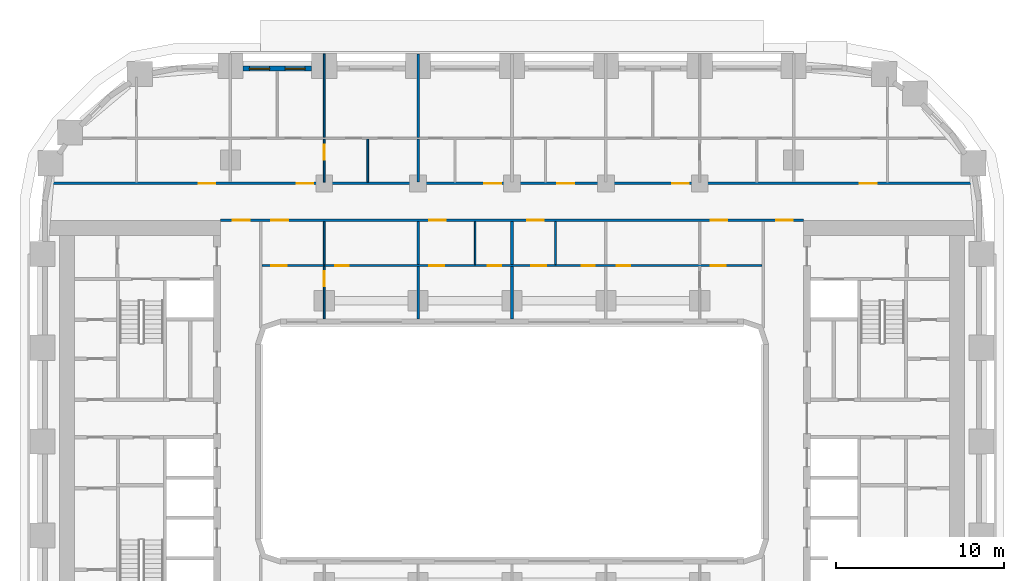
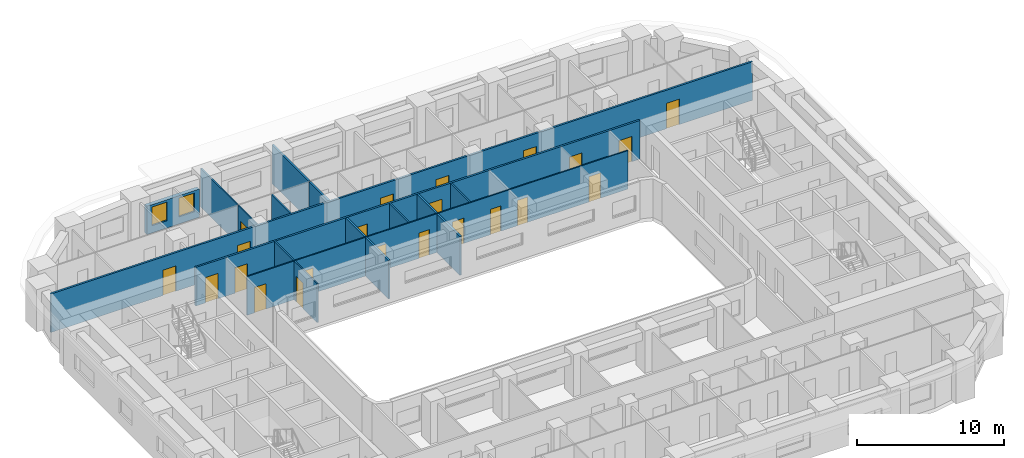
# One storey, part 8 of 21: 22 doors, 17 walls, 2 windows, 24 openings.
"""IFC4 building model written with IfcOpenShell, lengths in metres."""

from ifc_helpers import new_model, si_unit, direction, frame, frame_2d, origin, place, context, subcontext, project, spatial, rectangle, extrude, material, layer, layer_set, type_object, element, fill, save


model = new_model("IFC4")

# Units and contexts
model_context = context("Model", 3, precision=1e-05, world=origin(), true_north=direction((0.0, 1.0)))
body_context = subcontext(model_context, "Body", "Model", "MODEL_VIEW")
ifc_project = project(units=[si_unit("LENGTHUNIT", "METRE"), si_unit("AREAUNIT", "SQUARE_METRE"), si_unit("VOLUMEUNIT", "CUBIC_METRE"), si_unit("PLANEANGLEUNIT", "RADIAN"), si_unit("MASSUNIT", "GRAM", prefix="KILO")], contexts=[model_context])

# Site, building, storey
site_placement = place(None, origin())
site = spatial("IfcSite", under=ifc_project, at=site_placement, CompositionType="ELEMENT")
building_placement = place(site_placement, origin())
building = spatial("IfcBuilding", under=site, at=building_placement, Name="Kiln Ring Residences", CompositionType="ELEMENT")
storey_placement = place(building_placement, frame((0.0, 0.0, 48.0)))
storey = spatial("IfcBuildingStorey", under=building, at=storey_placement, Name="L11", CompositionType="ELEMENT", Elevation=48.0)

# Wall, openings, windows
ifc_material_1 = material(Name="Brick masonry, dark clay brick", Category="masonry")
ifc_layer_1 = layer(ifc_material_1, 0.300048828125)
ifc_layer_set_1 = layer_set([ifc_layer_1], Name="EW-300 BRICK WALL")
wall_type_1 = type_object("IfcWallType", Name="EW-300 BRICK WALL", PredefinedType="SOLIDWALL", material=ifc_layer_set_1)
wall_1_placement = place(storey_placement, frame((-11.949951171875, 22.25, 0.0), z_axis=(0.0, 0.0, 1.0), x_axis=(-1.0, 0.0, 0.0)))
wall_1 = element("IfcWall", 1, at=wall_1_placement, inside=storey, type_object=wall_type_1, Name="Facade wall L11 34", PredefinedType="SOLIDWALL", context=body_context, shape_type="SweptSolid", body=[
    extrude(rectangle(XDim=4.10009765625, YDim=0.300048828125, at=frame_2d((2.050048828125, 0.0))), origin(), (0.0, 0.0, 1.0), 2.35009765625),
])
opening_1_placement = place(wall_1_placement, frame((0.387451171875, 0.0, 0.60009765625)))
opening_1 = element("IfcOpeningElement", 2, at=opening_1_placement, cuts=wall_1, Name="Opening W1", PredefinedType="OPENING", context=body_context, shape_type="SweptSolid", body=[
    extrude(rectangle(XDim=1.199951171875, YDim=1.550048828125, at=frame_2d((0.60009765625, 0.77490234375))), frame((0.0, 0.159912109375, 0.0), z_axis=(0.0, -1.0, 0.0), x_axis=(1.0, 0.0, 0.0)), (0.0, 0.0, 1.0), 0.320068359375),
])
opening_2_placement = place(wall_1_placement, frame((2.512451171875, 0.0, 0.60009765625)))
opening_2 = element("IfcOpeningElement", 3, at=opening_2_placement, cuts=wall_1, Name="Opening W1", PredefinedType="OPENING", context=body_context, shape_type="SweptSolid", body=[
    extrude(rectangle(XDim=1.199951171875, YDim=1.550048828125, at=frame_2d((0.60009765625, 0.77490234375))), frame((0.0, 0.159912109375, 0.0), z_axis=(0.0, -1.0, 0.0), x_axis=(1.0, 0.0, 0.0)), (0.0, 0.0, 1.0), 0.320068359375),
])
ifc_material_2 = material(Name="Aluminium frame with double glazing", Category="aluminium")
window_type = type_object("IfcWindowType", Name="WINDOW 1200 x 1550", PartitioningType="SINGLE_PANEL", PredefinedType="WINDOW", material=ifc_material_2)
window_1_placement = place(opening_1_placement, origin())
window_1 = element("IfcWindow", 4, at=window_1_placement, inside=storey, type_object=window_type, Name="Window L11 20", OverallHeight=1.550048828125, OverallWidth=1.199951171875, PartitioningType="SINGLE_PANEL", PredefinedType="WINDOW", context=body_context, shape_type="SweptSolid", body=[
    extrude(rectangle(XDim=1.199951171875, YDim=1.550048828125, at=frame_2d((0.60009765625, 0.77490234375))), frame((0.0, 0.030029296875, 0.0), z_axis=(0.0, -1.0, 0.0), x_axis=(1.0, 0.0, 0.0)), (0.0, 0.0, 1.0), 0.06005859375),
])
fill(opening_1, window_1)
window_2_placement = place(opening_2_placement, origin())
window_2 = element("IfcWindow", 5, at=window_2_placement, inside=storey, type_object=window_type, Name="Window L11 21", OverallHeight=1.550048828125, OverallWidth=1.199951171875, PartitioningType="SINGLE_PANEL", PredefinedType="WINDOW", context=body_context, shape_type="SweptSolid", body=[
    extrude(rectangle(XDim=1.199951171875, YDim=1.550048828125, at=frame_2d((0.60009765625, 0.77490234375))), frame((0.0, 0.030029296875, 0.0), z_axis=(0.0, -1.0, 0.0), x_axis=(1.0, 0.0, 0.0)), (0.0, 0.0, 1.0), 0.06005859375),
])
fill(opening_2, window_2)

# Wall, openings, doors
ifc_material_3 = material(Name="Gypsum board on steel studs", Category="steel")
ifc_layer_2 = layer(ifc_material_3, 0.10009765625)
ifc_layer_set_2 = layer_set([ifc_layer_2], Name="PARTITION-100")
wall_type_2 = type_object("IfcWallType", Name="PARTITION-100", PredefinedType="PARTITIONING", material=ifc_layer_set_2)
wall_2_placement = place(storey_placement, frame((-14.925048828125, 10.5, 0.0), z_axis=(0.0, 0.0, 1.0), x_axis=(1.0, 0.0, 0.0)))
wall_2 = element("IfcWall", 6, at=wall_2_placement, inside=storey, type_object=wall_type_2, Name="Partition 003", PredefinedType="PARTITIONING", context=body_context, shape_type="SweptSolid", body=[
    extrude(rectangle(XDim=29.85009765625, YDim=0.10009765625, at=frame_2d((14.925048828125, 0.0))), origin(), (0.0, 0.0, 1.0), 3.199951171875),
])
opening_3_placement = place(wall_2_placement, frame((4.375, 0.0, 0.0)))
opening_3 = element("IfcOpeningElement", 7, at=opening_3_placement, cuts=wall_2, Name="Opening L11-D006", PredefinedType="OPENING", context=body_context, shape_type="SweptSolid", body=[
    extrude(rectangle(XDim=0.800048828125, YDim=2.10009765625, at=frame_2d((0.39990234375, 1.050048828125))), frame((0.0, 0.06005859375, 0.0), z_axis=(0.0, -1.0, 0.0), x_axis=(1.0, 0.0, 0.0)), (0.0, 0.0, 1.0), 0.1201171875),
])
opening_4_placement = place(wall_2_placement, frame((0.574951171875, 0.0, 0.0)))
opening_4 = element("IfcOpeningElement", 8, at=opening_4_placement, cuts=wall_2, Name="Opening L11-D007", PredefinedType="OPENING", context=body_context, shape_type="SweptSolid", body=[
    extrude(rectangle(XDim=0.89990234375, YDim=2.10009765625, at=frame_2d((0.449951171875, 1.050048828125))), frame((0.0, 0.06005859375, 0.0), z_axis=(0.0, -1.0, 0.0), x_axis=(1.0, 0.0, 0.0)), (0.0, 0.0, 1.0), 0.1201171875),
])
opening_5_placement = place(wall_2_placement, frame((13.47509765625, 0.0, 0.0)))
opening_5 = element("IfcOpeningElement", 9, at=opening_5_placement, cuts=wall_2, Name="Opening L11-D010", PredefinedType="OPENING", context=body_context, shape_type="SweptSolid", body=[
    extrude(rectangle(XDim=0.800048828125, YDim=2.10009765625, at=frame_2d((0.39990234375, 1.050048828125))), frame((0.0, 0.06005859375, 0.0), z_axis=(0.0, -1.0, 0.0), x_axis=(1.0, 0.0, 0.0)), (0.0, 0.0, 1.0), 0.1201171875),
])
opening_6_placement = place(wall_2_placement, frame((9.97509765625, 0.0, 0.0)))
opening_6 = element("IfcOpeningElement", 10, at=opening_6_placement, cuts=wall_2, Name="Opening L11-D011", PredefinedType="OPENING", context=body_context, shape_type="SweptSolid", body=[
    extrude(rectangle(XDim=0.89990234375, YDim=2.10009765625, at=frame_2d((0.449951171875, 1.050048828125))), frame((0.0, 0.06005859375, 0.0), z_axis=(0.0, -1.0, 0.0), x_axis=(1.0, 0.0, 0.0)), (0.0, 0.0, 1.0), 0.1201171875),
])
opening_7_placement = place(wall_2_placement, frame((19.074951171875, 0.0, 0.0)))
opening_7 = element("IfcOpeningElement", 11, at=opening_7_placement, cuts=wall_2, Name="Opening L11-D013", PredefinedType="OPENING", context=body_context, shape_type="SweptSolid", body=[
    extrude(rectangle(XDim=0.800048828125, YDim=2.10009765625, at=frame_2d((0.39990234375, 1.050048828125))), frame((0.0, 0.06005859375, 0.0), z_axis=(0.0, -1.0, 0.0), x_axis=(1.0, 0.0, 0.0)), (0.0, 0.0, 1.0), 0.1201171875),
])
opening_8_placement = place(wall_2_placement, frame((16.074951171875, 0.0, 0.0)))
opening_8 = element("IfcOpeningElement", 12, at=opening_8_placement, cuts=wall_2, Name="Opening L11-D014", PredefinedType="OPENING", context=body_context, shape_type="SweptSolid", body=[
    extrude(rectangle(XDim=0.89990234375, YDim=2.10009765625, at=frame_2d((0.449951171875, 1.050048828125))), frame((0.0, 0.06005859375, 0.0), z_axis=(0.0, -1.0, 0.0), x_axis=(1.0, 0.0, 0.0)), (0.0, 0.0, 1.0), 0.1201171875),
])
opening_9_placement = place(wall_2_placement, frame((21.175048828125, 0.0, 0.0)))
opening_9 = element("IfcOpeningElement", 13, at=opening_9_placement, cuts=wall_2, Name="Opening L11-D016", PredefinedType="OPENING", context=body_context, shape_type="SweptSolid", body=[
    extrude(rectangle(XDim=0.800048828125, YDim=2.10009765625, at=frame_2d((0.39990234375, 1.050048828125))), frame((0.0, 0.06005859375, 0.0), z_axis=(0.0, -1.0, 0.0), x_axis=(1.0, 0.0, 0.0)), (0.0, 0.0, 1.0), 0.1201171875),
])
opening_10_placement = place(wall_2_placement, frame((26.77490234375, 0.0, 0.0)))
opening_10 = element("IfcOpeningElement", 14, at=opening_10_placement, cuts=wall_2, Name="Opening L11-D017", PredefinedType="OPENING", context=body_context, shape_type="SweptSolid", body=[
    extrude(rectangle(XDim=0.89990234375, YDim=2.10009765625, at=frame_2d((0.449951171875, 1.050048828125))), frame((0.0, 0.06005859375, 0.0), z_axis=(0.0, -1.0, 0.0), x_axis=(1.0, 0.0, 0.0)), (0.0, 0.0, 1.0), 0.1201171875),
])
ifc_material_4 = material(Name="Timber door leaf", Category="wood")
door_type_1 = type_object("IfcDoorType", Name="FLAT-DOOR-800-PL", OperationType="SINGLE_SWING_LEFT", PredefinedType="DOOR", material=ifc_material_4)
door_1_placement = place(opening_3_placement, origin())
door_1 = element("IfcDoor", 15, at=door_1_placement, inside=storey, type_object=door_type_1, Name="Door L11-D006", OperationType="SINGLE_SWING_RIGHT", OverallHeight=2.10009765625, OverallWidth=0.800048828125, PredefinedType="DOOR", context=body_context, shape_type="SweptSolid", body=[
    extrude(rectangle(XDim=0.800048828125, YDim=2.10009765625, at=frame_2d((0.39990234375, 1.050048828125))), frame((0.0, 0.02490234375, 0.0), z_axis=(0.0, -1.0, 0.0), x_axis=(1.0, 0.0, 0.0)), (0.0, 0.0, 1.0), 0.050048828125),
])
fill(opening_3, door_1)
door_2_placement = place(opening_5_placement, origin())
door_2 = element("IfcDoor", 16, at=door_2_placement, inside=storey, type_object=door_type_1, Name="Door L11-D010", OperationType="SINGLE_SWING_RIGHT", OverallHeight=2.10009765625, OverallWidth=0.800048828125, PredefinedType="DOOR", context=body_context, shape_type="SweptSolid", body=[
    extrude(rectangle(XDim=0.800048828125, YDim=2.10009765625, at=frame_2d((0.39990234375, 1.050048828125))), frame((0.0, 0.02490234375, 0.0), z_axis=(0.0, -1.0, 0.0), x_axis=(1.0, 0.0, 0.0)), (0.0, 0.0, 1.0), 0.050048828125),
])
fill(opening_5, door_2)
door_3_placement = place(opening_7_placement, origin())
door_3 = element("IfcDoor", 17, at=door_3_placement, inside=storey, type_object=door_type_1, Name="Door L11-D013", OperationType="SINGLE_SWING_LEFT", OverallHeight=2.10009765625, OverallWidth=0.800048828125, PredefinedType="DOOR", context=body_context, shape_type="SweptSolid", body=[
    extrude(rectangle(XDim=0.800048828125, YDim=2.10009765625, at=frame_2d((0.39990234375, 1.050048828125))), frame((0.0, 0.02490234375, 0.0), z_axis=(0.0, -1.0, 0.0), x_axis=(1.0, 0.0, 0.0)), (0.0, 0.0, 1.0), 0.050048828125),
])
fill(opening_7, door_3)
door_4_placement = place(opening_9_placement, origin())
door_4 = element("IfcDoor", 18, at=door_4_placement, inside=storey, type_object=door_type_1, Name="Door L11-D016", OperationType="SINGLE_SWING_RIGHT", OverallHeight=2.10009765625, OverallWidth=0.800048828125, PredefinedType="DOOR", context=body_context, shape_type="SweptSolid", body=[
    extrude(rectangle(XDim=0.800048828125, YDim=2.10009765625, at=frame_2d((0.39990234375, 1.050048828125))), frame((0.0, 0.02490234375, 0.0), z_axis=(0.0, -1.0, 0.0), x_axis=(1.0, 0.0, 0.0)), (0.0, 0.0, 1.0), 0.050048828125),
])
fill(opening_9, door_4)
ifc_material_5 = material(Name="Timber door leaf", Category="wood")
door_type_2 = type_object("IfcDoorType", Name="FLAT-DOOR-900-PL", OperationType="SINGLE_SWING_LEFT", PredefinedType="DOOR", material=ifc_material_5)
door_5_placement = place(opening_4_placement, origin())
door_5 = element("IfcDoor", 19, at=door_5_placement, inside=storey, type_object=door_type_2, Name="Door L11-D007", OperationType="SINGLE_SWING_LEFT", OverallHeight=2.10009765625, OverallWidth=0.89990234375, PredefinedType="DOOR", context=body_context, shape_type="SweptSolid", body=[
    extrude(rectangle(XDim=0.89990234375, YDim=2.10009765625, at=frame_2d((0.449951171875, 1.050048828125))), frame((0.0, 0.02490234375, 0.0), z_axis=(0.0, -1.0, 0.0), x_axis=(1.0, 0.0, 0.0)), (0.0, 0.0, 1.0), 0.050048828125),
])
fill(opening_4, door_5)
door_6_placement = place(opening_6_placement, origin())
door_6 = element("IfcDoor", 20, at=door_6_placement, inside=storey, type_object=door_type_2, Name="Door L11-D011", OperationType="SINGLE_SWING_LEFT", OverallHeight=2.10009765625, OverallWidth=0.89990234375, PredefinedType="DOOR", context=body_context, shape_type="SweptSolid", body=[
    extrude(rectangle(XDim=0.89990234375, YDim=2.10009765625, at=frame_2d((0.449951171875, 1.050048828125))), frame((0.0, 0.02490234375, 0.0), z_axis=(0.0, -1.0, 0.0), x_axis=(1.0, 0.0, 0.0)), (0.0, 0.0, 1.0), 0.050048828125),
])
fill(opening_6, door_6)
door_7_placement = place(opening_8_placement, origin())
door_7 = element("IfcDoor", 21, at=door_7_placement, inside=storey, type_object=door_type_2, Name="Door L11-D014", OperationType="SINGLE_SWING_RIGHT", OverallHeight=2.10009765625, OverallWidth=0.89990234375, PredefinedType="DOOR", context=body_context, shape_type="SweptSolid", body=[
    extrude(rectangle(XDim=0.89990234375, YDim=2.10009765625, at=frame_2d((0.449951171875, 1.050048828125))), frame((0.0, 0.02490234375, 0.0), z_axis=(0.0, -1.0, 0.0), x_axis=(1.0, 0.0, 0.0)), (0.0, 0.0, 1.0), 0.050048828125),
])
fill(opening_8, door_7)
door_8_placement = place(opening_10_placement, origin())
door_8 = element("IfcDoor", 22, at=door_8_placement, inside=storey, type_object=door_type_2, Name="Door L11-D017", OperationType="SINGLE_SWING_LEFT", OverallHeight=2.10009765625, OverallWidth=0.89990234375, PredefinedType="DOOR", context=body_context, shape_type="SweptSolid", body=[
    extrude(rectangle(XDim=0.89990234375, YDim=2.10009765625, at=frame_2d((0.449951171875, 1.050048828125))), frame((0.0, 0.02490234375, 0.0), z_axis=(0.0, -1.0, 0.0), x_axis=(1.0, 0.0, 0.0)), (0.0, 0.0, 1.0), 0.050048828125),
])
fill(opening_10, door_8)

# Wall, opening, door
wall_3_placement = place(storey_placement, frame((-11.199951171875, 7.320068359375, 0.0), z_axis=(0.0, 0.0, 1.0), x_axis=(0.0, 1.0, 0.0)))
wall_3 = element("IfcWall", 23, at=wall_3_placement, inside=storey, type_object=wall_type_2, Name="Partition 020", PredefinedType="PARTITIONING", context=body_context, shape_type="SweptSolid", body=[
    extrude(rectangle(XDim=3.1298828125, YDim=0.10009765625, at=frame_2d((1.56494140625, 0.0))), origin(), (0.0, 0.0, 1.0), 3.199951171875),
])
opening_11_placement = place(wall_3_placement, frame((1.949951171875, 0.0, 0.0)))
opening_11 = element("IfcOpeningElement", 24, at=opening_11_placement, cuts=wall_3, Name="Opening L11-D008", PredefinedType="OPENING", context=body_context, shape_type="SweptSolid", body=[
    extrude(rectangle(XDim=0.89990234375, YDim=2.10009765625, at=frame_2d((0.449951171875, 1.050048828125))), frame((0.0, 0.06005859375, 0.0), z_axis=(0.0, -1.0, 0.0), x_axis=(1.0, 0.0, 0.0)), (0.0, 0.0, 1.0), 0.1201171875),
])
door_9_placement = place(opening_11_placement, origin())
door_9 = element("IfcDoor", 25, at=door_9_placement, inside=storey, type_object=door_type_2, Name="Door L11-D008", OperationType="SINGLE_SWING_RIGHT", OverallHeight=2.10009765625, OverallWidth=0.89990234375, PredefinedType="DOOR", context=body_context, shape_type="SweptSolid", body=[
    extrude(rectangle(XDim=0.89990234375, YDim=2.10009765625, at=frame_2d((0.449951171875, 1.050048828125))), frame((0.0, 0.02490234375, 0.0), z_axis=(0.0, -1.0, 0.0), x_axis=(1.0, 0.0, 0.0)), (0.0, 0.0, 1.0), 0.050048828125),
])
fill(opening_11, door_9)

# Wall
wall_4_placement = place(storey_placement, frame((-11.199951171875, 10.550048828125, 0.0), z_axis=(0.0, 0.0, 1.0), x_axis=(0.0, 1.0, 0.0)))
element("IfcWall", 26, at=wall_4_placement, inside=storey, type_object=wall_type_2, Name="Partition 021", PredefinedType="PARTITIONING", context=body_context, shape_type="SweptSolid", body=[
    extrude(rectangle(XDim=2.574951171875, YDim=0.10009765625, at=frame_2d((1.28759765625, 0.0))), origin(), (0.0, 0.0, 1.0), 3.199951171875),
])

# Wall, opening, door
wall_5_placement = place(storey_placement, frame((-11.199951171875, 15.47509765625, 0.0), z_axis=(0.0, 0.0, 1.0), x_axis=(0.0, 1.0, 0.0)))
wall_5 = element("IfcWall", 27, at=wall_5_placement, inside=storey, type_object=wall_type_2, Name="Partition 022", PredefinedType="PARTITIONING", context=body_context, shape_type="SweptSolid", body=[
    extrude(rectangle(XDim=2.574951171875, YDim=0.10009765625, at=frame_2d((1.28759765625, 0.0))), origin(), (0.0, 0.0, 1.0), 3.199951171875),
])
opening_12_placement = place(wall_5_placement, frame((1.325927734375, 0.0, 0.0)))
opening_12 = element("IfcOpeningElement", 28, at=opening_12_placement, cuts=wall_5, Name="Opening L11-D024", PredefinedType="OPENING", context=body_context, shape_type="SweptSolid", body=[
    extrude(rectangle(XDim=0.89990234375, YDim=2.10009765625, at=frame_2d((0.449951171875, 1.050048828125))), frame((0.0, 0.06005859375, 0.0), z_axis=(0.0, -1.0, 0.0), x_axis=(1.0, 0.0, 0.0)), (0.0, 0.0, 1.0), 0.1201171875),
])
door_10_placement = place(opening_12_placement, origin())
door_10 = element("IfcDoor", 29, at=door_10_placement, inside=storey, type_object=door_type_2, Name="Door L11-D024", OperationType="SINGLE_SWING_RIGHT", OverallHeight=2.10009765625, OverallWidth=0.89990234375, PredefinedType="DOOR", context=body_context, shape_type="SweptSolid", body=[
    extrude(rectangle(XDim=0.89990234375, YDim=2.10009765625, at=frame_2d((0.449951171875, 1.050048828125))), frame((0.0, 0.02490234375, 0.0), z_axis=(0.0, -1.0, 0.0), x_axis=(1.0, 0.0, 0.0)), (0.0, 0.0, 1.0), 0.050048828125),
])
fill(opening_12, door_10)

# Walls
wall_6_placement = place(storey_placement, frame((-11.199951171875, 18.14990234375, 0.0), z_axis=(0.0, 0.0, 1.0), x_axis=(0.0, 1.0, 0.0)))
element("IfcWall", 30, at=wall_6_placement, inside=storey, type_object=wall_type_2, Name="Partition 023", PredefinedType="PARTITIONING", context=body_context, shape_type="SweptSolid", body=[
    extrude(rectangle(XDim=4.97998046875, YDim=0.10009765625, at=frame_2d((2.489990234375, 0.0))), origin(), (0.0, 0.0, 1.0), 3.199951171875),
])
for number, where, z_axis, x_axis, name in (
    (31, (-8.60009765625, 15.47509765625, 0.0), (0.0, 0.0, 1.0), (0.0, 1.0, 0.0), "Partition 026"),
    (32, (-2.199951171875, 10.550048828125, 0.0), (0.0, 0.0, 1.0), (0.0, 1.0, 0.0), "Partition 037"),
    (33, (2.60009765625, 10.550048828125, 0.0), (0.0, 0.0, 1.0), (0.0, 1.0, 0.0), "Partition 046"),
):
    element("IfcWall", number, at=place(storey_placement, frame(where, z_axis=z_axis, x_axis=x_axis)), inside=storey, type_object=wall_type_2, Name=name, PredefinedType="PARTITIONING", context=body_context, shape_type="SweptSolid", body=[
        extrude(rectangle(XDim=2.574951171875, YDim=0.10009765625, at=frame_2d((1.28759765625, 0.0))), origin(), (0.0, 0.0, 1.0), 3.199951171875),
    ])

# Wall, openings, doors
ifc_material_6 = material(Name="Brick masonry partition", Category="masonry")
ifc_layer_3 = layer(ifc_material_6, 0.14990234375)
ifc_layer_set_3 = layer_set([ifc_layer_3], Name="PARTITION-150-ei60")
wall_type_3 = type_object("IfcWallType", Name="PARTITION-150-ei60", PredefinedType="PARTITIONING", material=ifc_layer_set_3)
wall_7_placement = place(storey_placement, frame((-17.39990234375, 13.199951171875, 0.0), z_axis=(0.0, 0.0, 1.0), x_axis=(1.0, 0.0, 0.0)))
wall_7 = element("IfcWall", 34, at=wall_7_placement, inside=storey, type_object=wall_type_3, Name="Partition 004", PredefinedType="PARTITIONING", context=body_context, shape_type="SweptSolid", body=[
    extrude(rectangle(XDim=34.7998046875, YDim=0.14990234375, at=frame_2d((17.39990234375, 0.0))), origin(), (0.0, 0.0, 1.0), 3.199951171875),
])
opening_13_placement = place(wall_7_placement, frame((0.75, 0.0, 0.0)))
opening_13 = element("IfcOpeningElement", 35, at=opening_13_placement, cuts=wall_7, Name="Opening L11-D001", PredefinedType="OPENING", context=body_context, shape_type="SweptSolid", body=[
    extrude(rectangle(XDim=1.0, YDim=2.10009765625, at=frame_2d((0.5, 1.050048828125))), frame((0.0, 0.0849609375, 0.0), z_axis=(0.0, -1.0, 0.0), x_axis=(1.0, 0.0, 0.0)), (0.0, 0.0, 1.0), 0.169921875),
])
opening_14_placement = place(wall_7_placement, frame((33.14990234375, 0.0, 0.0)))
opening_14 = element("IfcOpeningElement", 36, at=opening_14_placement, cuts=wall_7, Name="Opening L11-D002", PredefinedType="OPENING", context=body_context, shape_type="SweptSolid", body=[
    extrude(rectangle(XDim=1.0, YDim=2.10009765625, at=frame_2d((0.5, 1.050048828125))), frame((0.0, 0.0849609375, 0.0), z_axis=(0.0, -1.0, 0.0), x_axis=(1.0, 0.0, 0.0)), (0.0, 0.0, 1.0), 0.169921875),
])
opening_15_placement = place(wall_7_placement, frame((3.050048828125, 0.0, 0.0)))
opening_15 = element("IfcOpeningElement", 37, at=opening_15_placement, cuts=wall_7, Name="Opening L11-D005", PredefinedType="OPENING", context=body_context, shape_type="SweptSolid", body=[
    extrude(rectangle(XDim=1.0, YDim=2.10009765625, at=frame_2d((0.5, 1.050048828125))), frame((0.0, 0.0849609375, 0.0), z_axis=(0.0, -1.0, 0.0), x_axis=(1.0, 0.0, 0.0)), (0.0, 0.0, 1.0), 0.169921875),
])
opening_16_placement = place(wall_7_placement, frame((12.449951171875, 0.0, 0.0)))
opening_16 = element("IfcOpeningElement", 38, at=opening_16_placement, cuts=wall_7, Name="Opening L11-D009", PredefinedType="OPENING", context=body_context, shape_type="SweptSolid", body=[
    extrude(rectangle(XDim=1.0, YDim=2.10009765625, at=frame_2d((0.5, 1.050048828125))), frame((0.0, 0.0849609375, 0.0), z_axis=(0.0, -1.0, 0.0), x_axis=(1.0, 0.0, 0.0)), (0.0, 0.0, 1.0), 0.169921875),
])
opening_17_placement = place(wall_7_placement, frame((18.300048828125, 0.0, 0.0)))
opening_17 = element("IfcOpeningElement", 39, at=opening_17_placement, cuts=wall_7, Name="Opening L11-D012", PredefinedType="OPENING", context=body_context, shape_type="SweptSolid", body=[
    extrude(rectangle(XDim=1.0, YDim=2.10009765625, at=frame_2d((0.5, 1.050048828125))), frame((0.0, 0.0849609375, 0.0), z_axis=(0.0, -1.0, 0.0), x_axis=(1.0, 0.0, 0.0)), (0.0, 0.0, 1.0), 0.169921875),
])
opening_18_placement = place(wall_7_placement, frame((29.25, 0.0, 0.0)))
opening_18 = element("IfcOpeningElement", 40, at=opening_18_placement, cuts=wall_7, Name="Opening L11-D015", PredefinedType="OPENING", context=body_context, shape_type="SweptSolid", body=[
    extrude(rectangle(XDim=1.0, YDim=2.10009765625, at=frame_2d((0.5, 1.050048828125))), frame((0.0, 0.0849609375, 0.0), z_axis=(0.0, -1.0, 0.0), x_axis=(1.0, 0.0, 0.0)), (0.0, 0.0, 1.0), 0.169921875),
])
ifc_material_7 = material(Name="Steel faced fire door leaf", Category="steel")
door_type_3 = type_object("IfcDoorType", Name="FLAT-DOOR-1000-FR", OperationType="SINGLE_SWING_LEFT", PredefinedType="DOOR", material=ifc_material_7)
door_11_placement = place(opening_13_placement, origin())
door_11 = element("IfcDoor", 41, at=door_11_placement, inside=storey, type_object=door_type_3, Name="Door L11-D001", OperationType="SINGLE_SWING_RIGHT", OverallHeight=2.10009765625, OverallWidth=1.0, PredefinedType="DOOR", context=body_context, shape_type="SweptSolid", body=[
    extrude(rectangle(XDim=1.0, YDim=2.10009765625, at=frame_2d((0.5, 1.050048828125))), frame((0.0, 0.02490234375, 0.0), z_axis=(0.0, -1.0, 0.0), x_axis=(1.0, 0.0, 0.0)), (0.0, 0.0, 1.0), 0.050048828125),
])
fill(opening_13, door_11)
door_12_placement = place(opening_14_placement, origin())
door_12 = element("IfcDoor", 42, at=door_12_placement, inside=storey, type_object=door_type_3, Name="Door L11-D002", OperationType="SINGLE_SWING_LEFT", OverallHeight=2.10009765625, OverallWidth=1.0, PredefinedType="DOOR", context=body_context, shape_type="SweptSolid", body=[
    extrude(rectangle(XDim=1.0, YDim=2.10009765625, at=frame_2d((0.5, 1.050048828125))), frame((0.0, 0.02490234375, 0.0), z_axis=(0.0, -1.0, 0.0), x_axis=(1.0, 0.0, 0.0)), (0.0, 0.0, 1.0), 0.050048828125),
])
fill(opening_14, door_12)
door_13_placement = place(opening_15_placement, origin())
door_13 = element("IfcDoor", 43, at=door_13_placement, inside=storey, type_object=door_type_3, Name="Door L11-D005", OperationType="SINGLE_SWING_LEFT", OverallHeight=2.10009765625, OverallWidth=1.0, PredefinedType="DOOR", context=body_context, shape_type="SweptSolid", body=[
    extrude(rectangle(XDim=1.0, YDim=2.10009765625, at=frame_2d((0.5, 1.050048828125))), frame((0.0, 0.02490234375, 0.0), z_axis=(0.0, -1.0, 0.0), x_axis=(1.0, 0.0, 0.0)), (0.0, 0.0, 1.0), 0.050048828125),
])
fill(opening_15, door_13)
door_14_placement = place(opening_16_placement, origin())
door_14 = element("IfcDoor", 44, at=door_14_placement, inside=storey, type_object=door_type_3, Name="Door L11-D009", OperationType="SINGLE_SWING_LEFT", OverallHeight=2.10009765625, OverallWidth=1.0, PredefinedType="DOOR", context=body_context, shape_type="SweptSolid", body=[
    extrude(rectangle(XDim=1.0, YDim=2.10009765625, at=frame_2d((0.5, 1.050048828125))), frame((0.0, 0.02490234375, 0.0), z_axis=(0.0, -1.0, 0.0), x_axis=(1.0, 0.0, 0.0)), (0.0, 0.0, 1.0), 0.050048828125),
])
fill(opening_16, door_14)
door_15_placement = place(opening_17_placement, origin())
door_15 = element("IfcDoor", 45, at=door_15_placement, inside=storey, type_object=door_type_3, Name="Door L11-D012", OperationType="SINGLE_SWING_RIGHT", OverallHeight=2.10009765625, OverallWidth=1.0, PredefinedType="DOOR", context=body_context, shape_type="SweptSolid", body=[
    extrude(rectangle(XDim=1.0, YDim=2.10009765625, at=frame_2d((0.5, 1.050048828125))), frame((0.0, 0.02490234375, 0.0), z_axis=(0.0, -1.0, 0.0), x_axis=(1.0, 0.0, 0.0)), (0.0, 0.0, 1.0), 0.050048828125),
])
fill(opening_17, door_15)
door_16_placement = place(opening_18_placement, origin())
door_16 = element("IfcDoor", 46, at=door_16_placement, inside=storey, type_object=door_type_3, Name="Door L11-D015", OperationType="SINGLE_SWING_LEFT", OverallHeight=2.10009765625, OverallWidth=1.0, PredefinedType="DOOR", context=body_context, shape_type="SweptSolid", body=[
    extrude(rectangle(XDim=1.0, YDim=2.10009765625, at=frame_2d((0.5, 1.050048828125))), frame((0.0, 0.02490234375, 0.0), z_axis=(0.0, -1.0, 0.0), x_axis=(1.0, 0.0, 0.0)), (0.0, 0.0, 1.0), 0.050048828125),
])
fill(opening_18, door_16)

wall_8_placement = place(storey_placement, frame((-27.48388671875, 15.39990234375, 0.0), z_axis=(0.0, 0.0, 1.0), x_axis=(1.0, 0.0, 0.0)))
wall_8 = element("IfcWall", 47, at=wall_8_placement, inside=storey, type_object=wall_type_3, Name="Partition 005", PredefinedType="PARTITIONING", context=body_context, shape_type="SweptSolid", body=[
    extrude(rectangle(XDim=54.9677734375, YDim=0.14990234375, at=frame_2d((27.48388671875, 0.0))), origin(), (0.0, 0.0, 1.0), 3.199951171875),
])
opening_19_placement = place(wall_8_placement, frame((8.78369140625, 0.0, 0.0)))
opening_19 = element("IfcOpeningElement", 48, at=opening_19_placement, cuts=wall_8, Name="Opening L11-D019", PredefinedType="OPENING", context=body_context, shape_type="SweptSolid", body=[
    extrude(rectangle(XDim=1.0, YDim=2.10009765625, at=frame_2d((0.5, 1.050048828125))), frame((0.0, 0.0849609375, 0.0), z_axis=(0.0, -1.0, 0.0), x_axis=(1.0, 0.0, 0.0)), (0.0, 0.0, 1.0), 0.169921875),
])
opening_20_placement = place(wall_8_placement, frame((14.6337890625, 0.0, 0.0)))
opening_20 = element("IfcOpeningElement", 49, at=opening_20_placement, cuts=wall_8, Name="Opening L11-D023", PredefinedType="OPENING", context=body_context, shape_type="SweptSolid", body=[
    extrude(rectangle(XDim=1.0, YDim=2.10009765625, at=frame_2d((0.5, 1.050048828125))), frame((0.0, 0.0849609375, 0.0), z_axis=(0.0, -1.0, 0.0), x_axis=(1.0, 0.0, 0.0)), (0.0, 0.0, 1.0), 0.169921875),
])
opening_21_placement = place(wall_8_placement, frame((25.833740234375, 0.0, 0.0)))
opening_21 = element("IfcOpeningElement", 50, at=opening_21_placement, cuts=wall_8, Name="Opening L11-D029", PredefinedType="OPENING", context=body_context, shape_type="SweptSolid", body=[
    extrude(rectangle(XDim=1.0, YDim=2.10009765625, at=frame_2d((0.5, 1.050048828125))), frame((0.0, 0.0849609375, 0.0), z_axis=(0.0, -1.0, 0.0), x_axis=(1.0, 0.0, 0.0)), (0.0, 0.0, 1.0), 0.169921875),
])
opening_22_placement = place(wall_8_placement, frame((30.183837890625, 0.0, 0.0)))
opening_22 = element("IfcOpeningElement", 51, at=opening_22_placement, cuts=wall_8, Name="Opening L11-D032", PredefinedType="OPENING", context=body_context, shape_type="SweptSolid", body=[
    extrude(rectangle(XDim=1.0, YDim=2.10009765625, at=frame_2d((0.5, 1.050048828125))), frame((0.0, 0.0849609375, 0.0), z_axis=(0.0, -1.0, 0.0), x_axis=(1.0, 0.0, 0.0)), (0.0, 0.0, 1.0), 0.169921875),
])
opening_23_placement = place(wall_8_placement, frame((37.03369140625, 0.0, 0.0)))
opening_23 = element("IfcOpeningElement", 52, at=opening_23_placement, cuts=wall_8, Name="Opening L11-D035", PredefinedType="OPENING", context=body_context, shape_type="SweptSolid", body=[
    extrude(rectangle(XDim=1.0, YDim=2.10009765625, at=frame_2d((0.5, 1.050048828125))), frame((0.0, 0.0849609375, 0.0), z_axis=(0.0, -1.0, 0.0), x_axis=(1.0, 0.0, 0.0)), (0.0, 0.0, 1.0), 0.169921875),
])
opening_24_placement = place(wall_8_placement, frame((48.23388671875, 0.0, 0.0)))
opening_24 = element("IfcOpeningElement", 53, at=opening_24_placement, cuts=wall_8, Name="Opening L11-D041", PredefinedType="OPENING", context=body_context, shape_type="SweptSolid", body=[
    extrude(rectangle(XDim=1.0, YDim=2.10009765625, at=frame_2d((0.5, 1.050048828125))), frame((0.0, 0.0849609375, 0.0), z_axis=(0.0, -1.0, 0.0), x_axis=(1.0, 0.0, 0.0)), (0.0, 0.0, 1.0), 0.169921875),
])
door_17_placement = place(opening_19_placement, origin())
door_17 = element("IfcDoor", 54, at=door_17_placement, inside=storey, type_object=door_type_3, Name="Door L11-D019", OperationType="SINGLE_SWING_LEFT", OverallHeight=2.10009765625, OverallWidth=1.0, PredefinedType="DOOR", context=body_context, shape_type="SweptSolid", body=[
    extrude(rectangle(XDim=1.0, YDim=2.10009765625, at=frame_2d((0.5, 1.050048828125))), frame((0.0, 0.02490234375, 0.0), z_axis=(0.0, -1.0, 0.0), x_axis=(1.0, 0.0, 0.0)), (0.0, 0.0, 1.0), 0.050048828125),
])
fill(opening_19, door_17)
door_18_placement = place(opening_20_placement, origin())
door_18 = element("IfcDoor", 55, at=door_18_placement, inside=storey, type_object=door_type_3, Name="Door L11-D023", OperationType="SINGLE_SWING_LEFT", OverallHeight=2.10009765625, OverallWidth=1.0, PredefinedType="DOOR", context=body_context, shape_type="SweptSolid", body=[
    extrude(rectangle(XDim=1.0, YDim=2.10009765625, at=frame_2d((0.5, 1.050048828125))), frame((0.0, 0.02490234375, 0.0), z_axis=(0.0, -1.0, 0.0), x_axis=(1.0, 0.0, 0.0)), (0.0, 0.0, 1.0), 0.050048828125),
])
fill(opening_20, door_18)
door_19_placement = place(opening_21_placement, origin())
door_19 = element("IfcDoor", 56, at=door_19_placement, inside=storey, type_object=door_type_3, Name="Door L11-D029", OperationType="SINGLE_SWING_LEFT", OverallHeight=2.10009765625, OverallWidth=1.0, PredefinedType="DOOR", context=body_context, shape_type="SweptSolid", body=[
    extrude(rectangle(XDim=1.0, YDim=2.10009765625, at=frame_2d((0.5, 1.050048828125))), frame((0.0, 0.02490234375, 0.0), z_axis=(0.0, -1.0, 0.0), x_axis=(1.0, 0.0, 0.0)), (0.0, 0.0, 1.0), 0.050048828125),
])
fill(opening_21, door_19)
door_20_placement = place(opening_22_placement, origin())
door_20 = element("IfcDoor", 57, at=door_20_placement, inside=storey, type_object=door_type_3, Name="Door L11-D032", OperationType="SINGLE_SWING_RIGHT", OverallHeight=2.10009765625, OverallWidth=1.0, PredefinedType="DOOR", context=body_context, shape_type="SweptSolid", body=[
    extrude(rectangle(XDim=1.0, YDim=2.10009765625, at=frame_2d((0.5, 1.050048828125))), frame((0.0, 0.02490234375, 0.0), z_axis=(0.0, -1.0, 0.0), x_axis=(1.0, 0.0, 0.0)), (0.0, 0.0, 1.0), 0.050048828125),
])
fill(opening_22, door_20)
door_21_placement = place(opening_23_placement, origin())
door_21 = element("IfcDoor", 58, at=door_21_placement, inside=storey, type_object=door_type_3, Name="Door L11-D035", OperationType="SINGLE_SWING_LEFT", OverallHeight=2.10009765625, OverallWidth=1.0, PredefinedType="DOOR", context=body_context, shape_type="SweptSolid", body=[
    extrude(rectangle(XDim=1.0, YDim=2.10009765625, at=frame_2d((0.5, 1.050048828125))), frame((0.0, 0.02490234375, 0.0), z_axis=(0.0, -1.0, 0.0), x_axis=(1.0, 0.0, 0.0)), (0.0, 0.0, 1.0), 0.050048828125),
])
fill(opening_23, door_21)
door_22_placement = place(opening_24_placement, origin())
door_22 = element("IfcDoor", 59, at=door_22_placement, inside=storey, type_object=door_type_3, Name="Door L11-D041", OperationType="SINGLE_SWING_LEFT", OverallHeight=2.10009765625, OverallWidth=1.0, PredefinedType="DOOR", context=body_context, shape_type="SweptSolid", body=[
    extrude(rectangle(XDim=1.0, YDim=2.10009765625, at=frame_2d((0.5, 1.050048828125))), frame((0.0, 0.02490234375, 0.0), z_axis=(0.0, -1.0, 0.0), x_axis=(1.0, 0.0, 0.0)), (0.0, 0.0, 1.0), 0.050048828125),
])
fill(opening_24, door_22)

# Walls
wall_9_placement = place(storey_placement, frame((-5.60009765625, 7.320068359375, 0.0), z_axis=(0.0, 0.0, 1.0), x_axis=(0.0, 1.0, 0.0)))
element("IfcWall", 60, at=wall_9_placement, inside=storey, type_object=wall_type_3, Name="Partition 031", PredefinedType="PARTITIONING", context=body_context, shape_type="SweptSolid", body=[
    extrude(rectangle(XDim=3.1298828125, YDim=0.14990234375, at=frame_2d((1.56494140625, 0.0))), origin(), (0.0, 0.0, 1.0), 3.199951171875),
])
for number, where, z_axis, x_axis, name in (
    (61, (-5.60009765625, 10.550048828125, 0.0), (0.0, 0.0, 1.0), (0.0, 1.0, 0.0), "Partition 032"),
    (62, (-5.60009765625, 15.47509765625, 0.0), (0.0, 0.0, 1.0), (0.0, 1.0, 0.0), "Partition 033"),
):
    element("IfcWall", number, at=place(storey_placement, frame(where, z_axis=z_axis, x_axis=x_axis)), inside=storey, type_object=wall_type_3, Name=name, PredefinedType="PARTITIONING", context=body_context, shape_type="SweptSolid", body=[
        extrude(rectangle(XDim=2.574951171875, YDim=0.14990234375, at=frame_2d((1.28759765625, 0.0))), origin(), (0.0, 0.0, 1.0), 3.199951171875),
    ])
wall_10_placement = place(storey_placement, frame((-5.60009765625, 18.14990234375, 0.0), z_axis=(0.0, 0.0, 1.0), x_axis=(0.0, 1.0, 0.0)))
element("IfcWall", 63, at=wall_10_placement, inside=storey, type_object=wall_type_3, Name="Partition 034", PredefinedType="PARTITIONING", context=body_context, shape_type="SweptSolid", body=[
    extrude(rectangle(XDim=4.97998046875, YDim=0.14990234375, at=frame_2d((2.489990234375, 0.0))), origin(), (0.0, 0.0, 1.0), 3.199951171875),
])
wall_11_placement = place(storey_placement, frame((0.0, 7.320068359375, 0.0), z_axis=(0.0, 0.0, 1.0), x_axis=(0.0, 1.0, 0.0)))
element("IfcWall", 64, at=wall_11_placement, inside=storey, type_object=wall_type_3, Name="Partition 041", PredefinedType="PARTITIONING", context=body_context, shape_type="SweptSolid", body=[
    extrude(rectangle(XDim=3.1298828125, YDim=0.14990234375, at=frame_2d((1.56494140625, 0.0))), origin(), (0.0, 0.0, 1.0), 3.199951171875),
])
wall_12_placement = place(storey_placement, frame((0.0, 10.550048828125, 0.0), z_axis=(0.0, 0.0, 1.0), x_axis=(0.0, 1.0, 0.0)))
element("IfcWall", 65, at=wall_12_placement, inside=storey, type_object=wall_type_3, Name="Partition 042", PredefinedType="PARTITIONING", context=body_context, shape_type="SweptSolid", body=[
    extrude(rectangle(XDim=2.574951171875, YDim=0.14990234375, at=frame_2d((1.28759765625, 0.0))), origin(), (0.0, 0.0, 1.0), 3.199951171875),
])

save(model, "model.ifc")
